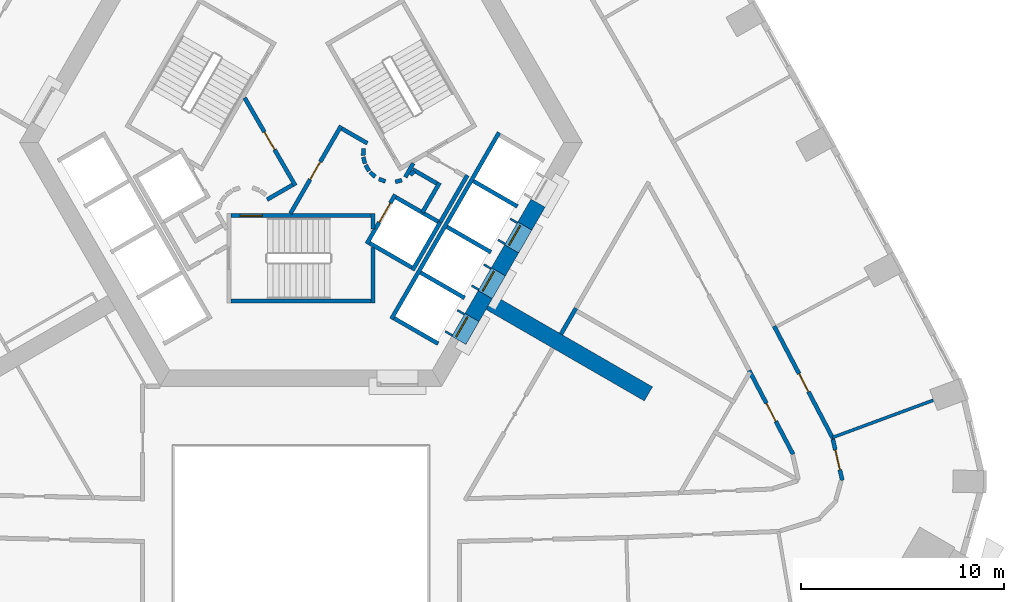
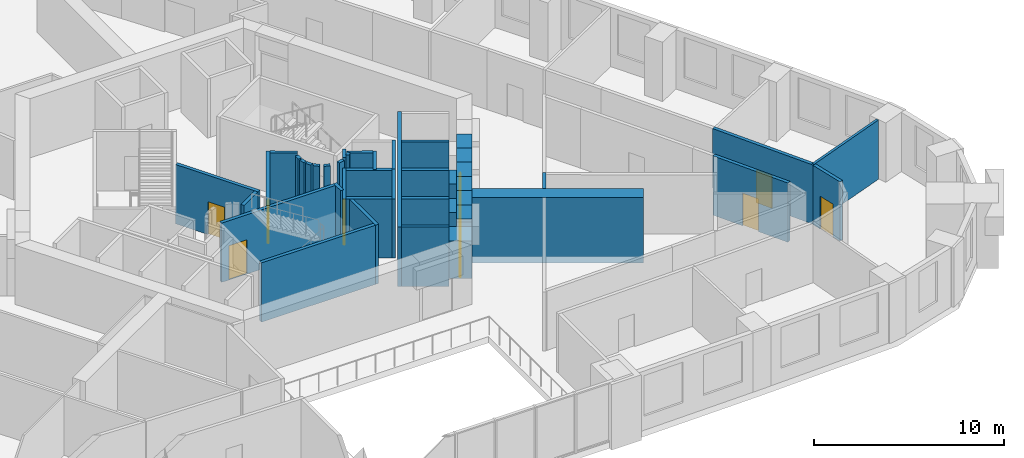
# One storey, part 7 of 14: 43 walls, 10 doors, 10 openings.
"""IFC4 building model written with IfcOpenShell, lengths in metres."""

from ifc_helpers import new_model, si_unit, direction, frame, frame_2d, origin, place, context, subcontext, project, spatial, polyline, rectangle, outline, extrude, material, layer, layer_set, type_object, element, fill, save


model = new_model("IFC4")

# Units and contexts
model_context = context("Model", 3, precision=1e-05, world=origin(), true_north=direction((0.0, 1.0)))
body_context = subcontext(model_context, "Body", "Model", "MODEL_VIEW")
ifc_project = project(units=[si_unit("LENGTHUNIT", "METRE"), si_unit("AREAUNIT", "SQUARE_METRE"), si_unit("VOLUMEUNIT", "CUBIC_METRE"), si_unit("PLANEANGLEUNIT", "RADIAN"), si_unit("MASSUNIT", "GRAM", prefix="KILO")], contexts=[model_context])

# Site, building, storey
site_placement = place(None, origin())
site = spatial("IfcSite", under=ifc_project, at=site_placement, CompositionType="ELEMENT")
building_placement = place(site_placement, origin())
building = spatial("IfcBuilding", under=site, at=building_placement, Name="Entoto Arch Interchange Tower", CompositionType="ELEMENT")
storey_placement = place(building_placement, frame((0.0, 0.0, 146.60009765625)))
storey = spatial("IfcBuildingStorey", under=building, at=storey_placement, Name="L32", CompositionType="ELEMENT", Elevation=146.60009765625)

# Walls
ifc_material_1 = material(Name="Concrete C50/60", Category="concrete")
ifc_layer_1 = layer(ifc_material_1, 0.800048828125)
ifc_layer_set_1 = layer_set([ifc_layer_1], Name="Concrete C50/60")
wall_type_1 = type_object("IfcWallType", Name="Buttress wall 800 C50/60", PredefinedType="SHEAR", material=ifc_layer_set_1)
wall_1_placement = place(storey_placement, frame((9.31005859375, -5.375, -0.400146484375), z_axis=(0.0, 0.0, 1.0), x_axis=(0.866017533419, -0.500013631625, 0.0)))
element("IfcWall", 1, at=wall_1_placement, inside=storey, type_object=wall_type_1, Name="Buttress wall SE L32", PredefinedType="SHEAR", context=body_context, shape_type="SweptSolid", body=[
    extrude(rectangle(XDim=8.999755859375, YDim=0.800048828125, at=frame_2d((4.5, 0.0))), origin(), (0.0, 0.0, 1.0), 4.199951171875),
])
ifc_layer_2 = layer(ifc_material_1, 0.800048828125)
ifc_layer_set_2 = layer_set([ifc_layer_2], Name="Concrete C50/60")
wall_type_2 = type_object("IfcWallType", Name="Core wall 800 C50/60", PredefinedType="SHEAR", material=ifc_layer_set_2)
wall_2_placement = place(storey_placement, frame((0.0, 0.0, -0.400146484375)))
element("IfcWall", 2, at=wall_2_placement, inside=storey, type_object=wall_type_2, Name="Core wall SE L32", PredefinedType="SHEAR", context=body_context, shape_type="SweptSolid", body=[
    extrude(outline(polyline([(9.4169921875, -5.18896484375), (8.72412109375, -4.7890625), (8.074951171875, -5.9140625), (8.76708984375, -6.31396484375), (9.4169921875, -5.18896484375)])), origin(), (0.0, 0.0, 1.0), 4.199951171875),
])
wall_3_placement = place(storey_placement, frame((0.0, 0.0, -0.400146484375)))
element("IfcWall", 3, at=wall_3_placement, inside=storey, type_object=wall_type_2, Name="Core wall SE L32", PredefinedType="SHEAR", context=body_context, shape_type="SweptSolid", body=[
    extrude(outline(polyline([(10.717041015625, -2.93701171875), (10.02490234375, -2.537109375), (9.3740234375, -3.6630859375), (10.06689453125, -4.06298828125), (10.717041015625, -2.93701171875)])), origin(), (0.0, 0.0, 1.0), 4.199951171875),
])
wall_4_placement = place(storey_placement, frame((0.0, 0.0, -0.400146484375)))
element("IfcWall", 4, at=wall_4_placement, inside=storey, type_object=wall_type_2, Name="Core wall SE L32", PredefinedType="SHEAR", context=body_context, shape_type="SweptSolid", body=[
    extrude(outline(polyline([(12.01708984375, -0.68603515625), (11.323974609375, -0.285888671875), (10.675048828125, -1.410888671875), (11.366943359375, -1.81103515625), (12.01708984375, -0.68603515625)])), origin(), (0.0, 0.0, 1.0), 4.199951171875),
])
wall_5_placement = place(storey_placement, frame((0.0, 0.0, 3.599853515625)))
element("IfcWall", 5, at=wall_5_placement, inside=storey, type_object=wall_type_2, Name="Core wall lintel SE L32", PredefinedType="SHEAR", context=body_context, shape_type="SweptSolid", body=[
    extrude(outline(polyline([(8.76708984375, -6.31396484375), (8.074951171875, -5.9140625), (7.424072265625, -7.0400390625), (8.116943359375, -7.43994140625), (8.76708984375, -6.31396484375)])), origin(), (0.0, 0.0, 1.0), 0.199951171875),
])
wall_6_placement = place(storey_placement, frame((0.0, 0.0, 3.599853515625)))
element("IfcWall", 6, at=wall_6_placement, inside=storey, type_object=wall_type_2, Name="Core wall lintel SE L32", PredefinedType="SHEAR", context=body_context, shape_type="SweptSolid", body=[
    extrude(outline(polyline([(10.06689453125, -4.06298828125), (9.3740234375, -3.6630859375), (8.72412109375, -4.7890625), (9.4169921875, -5.18896484375), (10.06689453125, -4.06298828125)])), origin(), (0.0, 0.0, 1.0), 0.199951171875),
])
wall_7_placement = place(storey_placement, frame((0.0, 0.0, 3.599853515625)))
element("IfcWall", 7, at=wall_7_placement, inside=storey, type_object=wall_type_2, Name="Core wall lintel SE L32", PredefinedType="SHEAR", context=body_context, shape_type="SweptSolid", body=[
    extrude(outline(polyline([(11.366943359375, -1.81103515625), (10.675048828125, -1.410888671875), (10.02490234375, -2.537109375), (10.717041015625, -2.93701171875), (11.366943359375, -1.81103515625)])), origin(), (0.0, 0.0, 1.0), 0.199951171875),
])

# Wall, opening, door
ifc_material_2 = material(Name="Concrete C40/50", Category="concrete")
ifc_layer_3 = layer(ifc_material_2, 1.199951171875)
ifc_layer_set_3 = layer_set([ifc_layer_3], Name="Concrete C40/50")
wall_type_3 = type_object("IfcWallType", Name="LIFT LANDING INFILL WALL", PredefinedType="STANDARD", material=ifc_layer_set_3)
wall_8_placement = place(storey_placement, frame((7.597900390625, -7.139892578125, 0.0), z_axis=(0.0, 0.0, 1.0), x_axis=(0.500362116554, 0.865816234728, 0.0)))
wall_8 = element("IfcWall", 8, at=wall_8_placement, inside=storey, type_object=wall_type_3, Name="Lift landing infill wall LR5 L32", PredefinedType="STANDARD", context=body_context, shape_type="SweptSolid", body=[
    extrude(rectangle(XDim=1.29931640625, YDim=1.199951171875, at=frame_2d((0.649658203125, 0.0))), origin(), (0.0, 0.0, 1.0), 2.39990234375),
])
opening_1_placement = place(wall_8_placement, frame((0.10009765625, 0.0, 0.0)))
opening_1 = element("IfcOpeningElement", 9, at=opening_1_placement, cuts=wall_8, Name="Opening LD-LR5-L32", PredefinedType="OPENING", context=body_context, shape_type="SweptSolid", body=[
    extrude(rectangle(XDim=1.10009765625, YDim=2.300048828125, at=frame_2d((0.550048828125, 1.14990234375))), frame((0.0, 0.60986328125, 0.0), z_axis=(0.0, -1.0, 0.0), x_axis=(1.0, 0.0, 0.0)), (0.0, 0.0, 1.0), 1.219970703125),
])
ifc_material_3 = material(Name="Stainless steel 1.4301 panels", Category="steel")
door_type_1 = type_object("IfcDoorType", Name="LIFT LANDING DOOR LD2 1100x2300", OperationType="SLIDING_TO_LEFT", PredefinedType="DOOR", material=ifc_material_3)
door_1_placement = place(opening_1_placement, origin())
door_1 = element("IfcDoor", 10, at=door_1_placement, inside=storey, type_object=door_type_1, Name="Lift landing door LR5 L32", OperationType="SLIDING_TO_LEFT", OverallHeight=2.300048828125, OverallWidth=1.10009765625, PredefinedType="DOOR", context=body_context, shape_type="SweptSolid", body=[
    extrude(rectangle(XDim=1.10009765625, YDim=2.300048828125, at=frame_2d((0.550048828125, 1.14990234375))), frame((0.0, 0.02490234375, 0.0), z_axis=(0.0, -1.0, 0.0), x_axis=(1.0, 0.0, 0.0)), (0.0, 0.0, 1.0), 0.050048828125),
])
fill(opening_1, door_1)

wall_9_placement = place(storey_placement, frame((8.89794921875, -4.888916015625, 0.0), z_axis=(0.0, 0.0, 1.0), x_axis=(0.500036693733, 0.866004217611, 0.0)))
wall_9 = element("IfcWall", 11, at=wall_9_placement, inside=storey, type_object=wall_type_3, Name="Lift landing infill wall LR6 L32", PredefinedType="STANDARD", context=body_context, shape_type="SweptSolid", body=[
    extrude(rectangle(XDim=1.30029296875, YDim=1.199951171875, at=frame_2d((0.650146484375, 0.0))), origin(), (0.0, 0.0, 1.0), 2.39990234375),
])
opening_2_placement = place(wall_9_placement, frame((0.10009765625, 0.0, 0.0)))
opening_2 = element("IfcOpeningElement", 12, at=opening_2_placement, cuts=wall_9, Name="Opening LD-LR6-L32", PredefinedType="OPENING", context=body_context, shape_type="SweptSolid", body=[
    extrude(rectangle(XDim=1.10009765625, YDim=2.300048828125, at=frame_2d((0.550048828125, 1.14990234375))), frame((0.0, 0.60986328125, 0.0), z_axis=(0.0, -1.0, 0.0), x_axis=(1.0, 0.0, 0.0)), (0.0, 0.0, 1.0), 1.219970703125),
])
door_2_placement = place(opening_2_placement, origin())
door_2 = element("IfcDoor", 13, at=door_2_placement, inside=storey, type_object=door_type_1, Name="Lift landing door LR6 L32", OperationType="SLIDING_TO_LEFT", OverallHeight=2.300048828125, OverallWidth=1.10009765625, PredefinedType="DOOR", context=body_context, shape_type="SweptSolid", body=[
    extrude(rectangle(XDim=1.10009765625, YDim=2.300048828125, at=frame_2d((0.550048828125, 1.14990234375))), frame((0.0, 0.02490234375, 0.0), z_axis=(0.0, -1.0, 0.0), x_axis=(1.0, 0.0, 0.0)), (0.0, 0.0, 1.0), 0.050048828125),
])
fill(opening_2, door_2)

wall_10_placement = place(storey_placement, frame((10.197998046875, -2.636962890625, 0.0), z_axis=(0.0, 0.0, 1.0), x_axis=(0.49989585183, 0.866085525409, 0.0)))
wall_10 = element("IfcWall", 14, at=wall_10_placement, inside=storey, type_object=wall_type_3, Name="Lift landing infill wall LR7 L32", PredefinedType="STANDARD", context=body_context, shape_type="SweptSolid", body=[
    extrude(rectangle(XDim=1.300048828125, YDim=1.199951171875, at=frame_2d((0.64990234375, 0.0))), origin(), (0.0, 0.0, 1.0), 2.39990234375),
])
opening_3_placement = place(wall_10_placement, frame((0.10009765625, 0.0, 0.0)))
opening_3 = element("IfcOpeningElement", 15, at=opening_3_placement, cuts=wall_10, Name="Opening LD-LR7-L32", PredefinedType="OPENING", context=body_context, shape_type="SweptSolid", body=[
    extrude(rectangle(XDim=1.10009765625, YDim=2.300048828125, at=frame_2d((0.550048828125, 1.14990234375))), frame((0.0, 0.60986328125, 0.0), z_axis=(0.0, -1.0, 0.0), x_axis=(1.0, 0.0, 0.0)), (0.0, 0.0, 1.0), 1.219970703125),
])
door_3_placement = place(opening_3_placement, origin())
door_3 = element("IfcDoor", 16, at=door_3_placement, inside=storey, type_object=door_type_1, Name="Lift landing door LR7 L32", OperationType="SLIDING_TO_LEFT", OverallHeight=2.300048828125, OverallWidth=1.10009765625, PredefinedType="DOOR", context=body_context, shape_type="SweptSolid", body=[
    extrude(rectangle(XDim=1.10009765625, YDim=2.300048828125, at=frame_2d((0.550048828125, 1.14990234375))), frame((0.0, 0.02490234375, 0.0), z_axis=(0.0, -1.0, 0.0), x_axis=(1.0, 0.0, 0.0)), (0.0, 0.0, 1.0), 0.050048828125),
])
fill(opening_3, door_3)

ifc_layer_4 = layer(ifc_material_2, 0.199951171875)
ifc_layer_set_4 = layer_set([ifc_layer_4], Name="Concrete C40/50")
wall_type_4 = type_object("IfcWallType", Name="LIFT SHAFT WALL 200", PredefinedType="STANDARD", material=ifc_layer_set_4)
wall_11_placement = place(storey_placement, frame((3.239990234375, -2.488037109375, 0.0), z_axis=(0.0, 0.0, 1.0), x_axis=(0.49994636267, 0.866056369097, 0.0)))
wall_11 = element("IfcWall", 17, at=wall_11_placement, inside=storey, type_object=wall_type_4, Name="Shaft wall SE1 front", PredefinedType="STANDARD", context=body_context, shape_type="SweptSolid", body=[
    extrude(rectangle(XDim=2.800048828125, YDim=0.199951171875, at=frame_2d((1.39990234375, 0.0))), origin(), (0.0, 0.0, 1.0), 3.7998046875),
])
opening_4_placement = place(wall_11_placement, frame((1.22509765625, 0.0, 0.0)))
opening_4 = element("IfcOpeningElement", 18, at=opening_4_placement, cuts=wall_11, Name="Opening LD-FF1-L32", PredefinedType="OPENING", context=body_context, shape_type="SweptSolid", body=[
    extrude(rectangle(XDim=1.10009765625, YDim=2.10009765625, at=frame_2d((0.550048828125, 1.050048828125))), frame((0.0, 0.10986328125, 0.0), z_axis=(0.0, -1.0, 0.0), x_axis=(1.0, 0.0, 0.0)), (0.0, 0.0, 1.0), 0.219970703125),
])
door_type_2 = type_object("IfcDoorType", Name="LIFT LANDING DOOR LD1 1100x2100", OperationType="SLIDING_TO_LEFT", PredefinedType="DOOR", material=ifc_material_3)
door_4_placement = place(opening_4_placement, origin())
door_4 = element("IfcDoor", 19, at=door_4_placement, inside=storey, type_object=door_type_2, Name="Lift landing door FF1 L32", OperationType="SLIDING_TO_LEFT", OverallHeight=2.10009765625, OverallWidth=1.10009765625, PredefinedType="DOOR", context=body_context, shape_type="SweptSolid", body=[
    extrude(rectangle(XDim=1.10009765625, YDim=2.10009765625, at=frame_2d((0.550048828125, 1.050048828125))), frame((0.0, 0.02490234375, 0.0), z_axis=(0.0, -1.0, 0.0), x_axis=(1.0, 0.0, 0.0)), (0.0, 0.0, 1.0), 0.050048828125),
])
fill(opening_4, door_4)

# Walls
wall_12_placement = place(storey_placement, frame((5.491943359375, -3.7880859375, 0.0), z_axis=(0.0, 0.0, 1.0), x_axis=(0.500011755427, 0.866018616679, 0.0)))
element("IfcWall", 20, at=wall_12_placement, inside=storey, type_object=wall_type_4, Name="Shaft wall SE1 back", PredefinedType="STANDARD", context=body_context, shape_type="SweptSolid", body=[
    extrude(rectangle(XDim=2.80029296875, YDim=0.199951171875, at=frame_2d((1.400146484375, 0.0))), origin(), (0.0, 0.0, 1.0), 3.7998046875),
])
wall_13_placement = place(storey_placement, frame((3.376953125, -2.451904296875, 0.0), z_axis=(0.0, 0.0, 1.0), x_axis=(0.865955154139, -0.50012165622, 0.0)))
element("IfcWall", 21, at=wall_13_placement, inside=storey, type_object=wall_type_4, Name="Shaft wall SE1 cross 1", PredefinedType="STANDARD", context=body_context, shape_type="SweptSolid", body=[
    extrude(rectangle(XDim=2.39990234375, YDim=0.199951171875, at=frame_2d((1.199951171875, 0.0))), origin(), (0.0, 0.0, 1.0), 3.7998046875),
])
wall_14_placement = place(storey_placement, frame((4.677001953125, -0.199951171875, 0.0), z_axis=(0.0, 0.0, 1.0), x_axis=(0.865973769406, -0.500089422704, 0.0)))
element("IfcWall", 22, at=wall_14_placement, inside=storey, type_object=wall_type_4, Name="Shaft wall SE1 cross 2", PredefinedType="STANDARD", context=body_context, shape_type="SweptSolid", body=[
    extrude(rectangle(XDim=2.3994140625, YDim=0.199951171875, at=frame_2d((1.19970703125, 0.0))), origin(), (0.0, 0.0, 1.0), 3.7998046875),
])
wall_15_placement = place(storey_placement, frame((4.450927734375, -6.18994140625, 0.0), z_axis=(0.0, 0.0, 1.0), x_axis=(0.50000090737, 0.866024879913, 0.0)))
element("IfcWall", 23, at=wall_15_placement, inside=storey, type_object=wall_type_4, Name="Shaft wall SE3 front", PredefinedType="STANDARD", context=body_context, shape_type="SweptSolid", body=[
    extrude(rectangle(XDim=10.60009765625, YDim=0.199951171875, at=frame_2d((5.300048828125, 0.0))), origin(), (0.0, 0.0, 1.0), 3.7998046875),
])
for number, where, z_axis, x_axis, name in (
    (24, (4.587890625, -6.153076171875, 0.0), (0.0, 0.0, 1.0), (0.866022959057, -0.500004234368, 0.0), "Shaft wall SE3 cross 1"),
    (25, (5.887939453125, -3.902099609375, 0.0), (0.0, 0.0, 1.0), (0.866022959057, -0.500004234368, 0.0), "Shaft wall SE3 cross 2"),
    (26, (7.18798828125, -1.64990234375, 0.0), (0.0, 0.0, 1.0), (0.866022959057, -0.500004234368, 0.0), "Shaft wall SE3 cross 3"),
    (27, (8.488037109375, 0.60205078125, 0.0), (0.0, 0.0, 1.0), (0.866022959057, -0.500004234368, 0.0), "Shaft wall SE3 cross 4"),
):
    element("IfcWall", number, at=place(storey_placement, frame(where, z_axis=z_axis, x_axis=x_axis)), inside=storey, type_object=wall_type_4, Name=name, PredefinedType="STANDARD", context=body_context, shape_type="SweptSolid", body=[
        extrude(rectangle(XDim=2.5, YDim=0.199951171875, at=frame_2d((1.25, 0.0))), origin(), (0.0, 0.0, 1.0), 3.7998046875),
    ])
ifc_material_4 = material(Name="Gypsum board partition on steel studs", Category="steel")
ifc_layer_5 = layer(ifc_material_4, 0.14990234375)
ifc_layer_set_5 = layer_set([ifc_layer_5], Name="Gypsum board partition on steel studs")
wall_type_5 = type_object("IfcWallType", Name="PARTITION 150", PredefinedType="PARTITIONING", material=ifc_layer_set_5)
wall_16_placement = place(storey_placement, frame((26.1640625, -12.02294921875, 0.0), z_axis=(0.0, 0.0, 1.0), x_axis=(0.937995804261, 0.346646608505, 0.0)))
element("IfcWall", 28, at=wall_16_placement, inside=storey, type_object=wall_type_5, Name="wall:L32:p125", PredefinedType="PARTITIONING", context=body_context, shape_type="SweptSolid", body=[
    extrude(rectangle(XDim=5.287841796875, YDim=0.14990234375, at=frame_2d((2.64404296875, 0.0))), origin(), (0.0, 0.0, 1.0), 3.7998046875),
])

# Wall, opening, door
ifc_layer_6 = layer(ifc_material_4, 0.199951171875)
ifc_layer_set_6 = layer_set([ifc_layer_6], Name="Gypsum board partition on steel studs")
wall_type_6 = type_object("IfcWallType", Name="PARTITION 200", PredefinedType="PARTITIONING", material=ifc_layer_set_6)
wall_17_placement = place(storey_placement, frame((24.22412109375, -12.844970703125, 0.0), z_axis=(0.0, 0.0, 1.0), x_axis=(-0.463819025987, 0.885929969655, 0.0)))
wall_17 = element("IfcWall", 29, at=wall_17_placement, inside=storey, type_object=wall_type_6, Name="wall:L32:p021", PredefinedType="PARTITIONING", context=body_context, shape_type="SweptSolid", body=[
    extrude(rectangle(XDim=4.659423828125, YDim=0.199951171875, at=frame_2d((2.32958984375, 0.0))), origin(), (0.0, 0.0, 1.0), 3.7998046875),
])
opening_5_placement = place(wall_17_placement, frame((1.830078125, 0.0, 0.0)))
opening_5 = element("IfcOpeningElement", 30, at=opening_5_placement, cuts=wall_17, Name="Opening L32-D22", PredefinedType="OPENING", context=body_context, shape_type="SweptSolid", body=[
    extrude(rectangle(XDim=1.0, YDim=2.10009765625, at=frame_2d((0.5, 1.050048828125))), frame((0.0, 0.10986328125, 0.0), z_axis=(0.0, -1.0, 0.0), x_axis=(1.0, 0.0, 0.0)), (0.0, 0.0, 1.0), 0.219970703125),
])
ifc_material_5 = material(Name="Timber door leaf in Steel S235 frame", Category="steel")
door_type_3 = type_object("IfcDoorType", Name="DOOR DS-10 1000x2100", OperationType="SINGLE_SWING_LEFT", PredefinedType="DOOR", material=ifc_material_5)
door_5_placement = place(opening_5_placement, origin())
door_5 = element("IfcDoor", 31, at=door_5_placement, inside=storey, type_object=door_type_3, Name="door:L32:22", OperationType="SINGLE_SWING_LEFT", OverallHeight=2.10009765625, OverallWidth=1.0, PredefinedType="DOOR", context=body_context, shape_type="SweptSolid", body=[
    extrude(rectangle(XDim=1.0, YDim=2.10009765625, at=frame_2d((0.5, 1.050048828125))), frame((0.0, 0.02490234375, 0.0), z_axis=(0.0, -1.0, 0.0), x_axis=(1.0, 0.0, 0.0)), (0.0, 0.0, 1.0), 0.050048828125),
])
fill(opening_5, door_5)

wall_18_placement = place(storey_placement, frame((26.18603515625, -12.1201171875, 0.0), z_axis=(0.0, 0.0, 1.0), x_axis=(0.224108401048, -0.974564222912, 0.0)))
wall_18 = element("IfcWall", 32, at=wall_18_placement, inside=storey, type_object=wall_type_6, Name="wall:L32:p034", PredefinedType="PARTITIONING", context=body_context, shape_type="SweptSolid", body=[
    extrude(rectangle(XDim=2.0654296875, YDim=0.199951171875, at=frame_2d((1.03271484375, 0.0))), origin(), (0.0, 0.0, 1.0), 3.7998046875),
])
opening_6_placement = place(wall_18_placement, frame((0.532958984375, 0.0, 0.0)))
opening_6 = element("IfcOpeningElement", 33, at=opening_6_placement, cuts=wall_18, Name="Opening L32-D03", PredefinedType="OPENING", context=body_context, shape_type="SweptSolid", body=[
    extrude(rectangle(XDim=1.0, YDim=2.10009765625, at=frame_2d((0.5, 1.050048828125))), frame((0.0, 0.10986328125, 0.0), z_axis=(0.0, -1.0, 0.0), x_axis=(1.0, 0.0, 0.0)), (0.0, 0.0, 1.0), 0.219970703125),
])
door_6_placement = place(opening_6_placement, origin())
door_6 = element("IfcDoor", 34, at=door_6_placement, inside=storey, type_object=door_type_3, Name="door:L32:03", OperationType="SINGLE_SWING_LEFT", OverallHeight=2.10009765625, OverallWidth=1.0, PredefinedType="DOOR", context=body_context, shape_type="SweptSolid", body=[
    extrude(rectangle(XDim=1.0, YDim=2.10009765625, at=frame_2d((0.5, 1.050048828125))), frame((0.0, 0.02490234375, 0.0), z_axis=(0.0, -1.0, 0.0), x_axis=(1.0, 0.0, 0.0)), (0.0, 0.0, 1.0), 0.050048828125),
])
fill(opening_6, door_6)

wall_19_placement = place(storey_placement, frame((23.2939453125, -6.541015625, 0.0), z_axis=(0.0, 0.0, 1.0), x_axis=(0.463802391881, -0.885938678062, 0.0)))
wall_19 = element("IfcWall", 35, at=wall_19_placement, inside=storey, type_object=wall_type_6, Name="wall:L32:p038", PredefinedType="PARTITIONING", context=body_context, shape_type="SweptSolid", body=[
    extrude(rectangle(XDim=6.287109375, YDim=0.199951171875, at=frame_2d((3.1435546875, 0.0))), origin(), (0.0, 0.0, 1.0), 3.7998046875),
])
opening_7_placement = place(wall_19_placement, frame((2.64404296875, 0.0, 0.0)))
opening_7 = element("IfcOpeningElement", 36, at=opening_7_placement, cuts=wall_19, Name="Opening L32-D04", PredefinedType="OPENING", context=body_context, shape_type="SweptSolid", body=[
    extrude(rectangle(XDim=1.0, YDim=2.10009765625, at=frame_2d((0.5, 1.050048828125))), frame((0.0, 0.10986328125, 0.0), z_axis=(0.0, -1.0, 0.0), x_axis=(1.0, 0.0, 0.0)), (0.0, 0.0, 1.0), 0.219970703125),
])
door_7_placement = place(opening_7_placement, origin())
door_7 = element("IfcDoor", 37, at=door_7_placement, inside=storey, type_object=door_type_3, Name="door:L32:04", OperationType="SINGLE_SWING_LEFT", OverallHeight=2.10009765625, OverallWidth=1.0, PredefinedType="DOOR", context=body_context, shape_type="SweptSolid", body=[
    extrude(rectangle(XDim=1.0, YDim=2.10009765625, at=frame_2d((0.5, 1.050048828125))), frame((0.0, 0.02490234375, 0.0), z_axis=(0.0, -1.0, 0.0), x_axis=(1.0, 0.0, 0.0)), (0.0, 0.0, 1.0), 0.050048828125),
])
fill(opening_7, door_7)

# Walls
wall_20_placement = place(storey_placement, frame((5.389892578125, 0.89794921875, 0.0), z_axis=(0.0, 0.0, 1.0), x_axis=(0.673828488714, 0.738887791073, 0.0)))
element("IfcWall", 38, at=wall_20_placement, inside=storey, type_object=wall_type_6, Name="wall:L32:p074", PredefinedType="PARTITIONING", context=body_context, shape_type="SweptSolid", body=[
    extrude(rectangle(XDim=0.2626953125, YDim=0.199951171875, at=frame_2d((0.13134765625, 0.0))), origin(), (0.0, 0.0, 1.0), 3.7998046875),
])
wall_21_placement = place(storey_placement, frame((5.4990234375, 1.172119140625, 0.0), z_axis=(0.0, 0.0, 1.0), x_axis=(0.866333505267, -0.499465972466, 0.0)))
element("IfcWall", 39, at=wall_21_placement, inside=storey, type_object=wall_type_6, Name="wall:L32:p075", PredefinedType="PARTITIONING", context=body_context, shape_type="SweptSolid", body=[
    extrude(rectangle(XDim=1.37353515625, YDim=0.199951171875, at=frame_2d((0.686767578125, 0.0))), origin(), (0.0, 0.0, 1.0), 3.7998046875),
])
wall_22_placement = place(storey_placement, frame((6.825927734375, 0.52197265625, 0.0), z_axis=(0.0, 0.0, 1.0), x_axis=(-0.500016722714, -0.866015748706, 0.0)))
element("IfcWall", 40, at=wall_22_placement, inside=storey, type_object=wall_type_6, Name="wall:L32:p076", PredefinedType="PARTITIONING", context=body_context, shape_type="SweptSolid", body=[
    extrude(rectangle(XDim=1.69970703125, YDim=0.199951171875, at=frame_2d((0.849853515625, 0.0))), origin(), (0.0, 0.0, 1.0), 3.7998046875),
])
wall_23_placement = place(storey_placement, frame((8.19189453125, 0.887939453125, 0.0), z_axis=(0.0, 0.0, 1.0), x_axis=(-0.499940625693, -0.866059680843, 0.0)))
element("IfcWall", 41, at=wall_23_placement, inside=storey, type_object=wall_type_6, Name="wall:L32:p078", PredefinedType="PARTITIONING", context=body_context, shape_type="SweptSolid", body=[
    extrude(rectangle(XDim=2.679931640625, YDim=0.199951171875, at=frame_2d((1.33984375, 0.0))), origin(), (0.0, 0.0, 1.0), 3.7998046875),
])
wall_24_placement = place(storey_placement, frame((5.135009765625, 0.79296875, 0.0), z_axis=(0.0, 0.0, 1.0), x_axis=(0.499526442893, 0.866298639529, 0.0)))
element("IfcWall", 42, at=wall_24_placement, inside=storey, type_object=wall_type_6, Name="wall:L32:p079", PredefinedType="PARTITIONING", context=body_context, shape_type="SweptSolid", body=[
    extrude(rectangle(XDim=0.790771484375, YDim=0.199951171875, at=frame_2d((0.3955078125, 0.0))), origin(), (0.0, 0.0, 1.0), 3.7998046875),
])

# Wall, opening, door
wall_25_placement = place(storey_placement, frame((-0.52001953125, -1.0, 0.0), z_axis=(0.0, 0.0, 1.0), x_axis=(0.50011622646, 0.865958290007, 0.0)))
wall_25 = element("IfcWall", 43, at=wall_25_placement, inside=storey, type_object=wall_type_6, Name="wall:L32:p087", PredefinedType="PARTITIONING", context=body_context, shape_type="SweptSolid", body=[
    extrude(rectangle(XDim=4.990966796875, YDim=0.199951171875, at=frame_2d((2.49560546875, 0.0))), origin(), (0.0, 0.0, 1.0), 3.7998046875),
])
opening_8_placement = place(wall_25_placement, frame((1.945068359375, 0.0, 0.0)))
opening_8 = element("IfcOpeningElement", 44, at=opening_8_placement, cuts=wall_25, Name="Opening L32-D31", PredefinedType="OPENING", context=body_context, shape_type="SweptSolid", body=[
    extrude(rectangle(XDim=1.0, YDim=2.10009765625, at=frame_2d((0.5, 1.050048828125))), frame((0.0, 0.10986328125, 0.0), z_axis=(0.0, -1.0, 0.0), x_axis=(1.0, 0.0, 0.0)), (0.0, 0.0, 1.0), 0.219970703125),
])
ifc_material_6 = material(Name="Fire-rated Steel S235 door and frame", Category="steel")
door_type_4 = type_object("IfcDoorType", Name="DOOR FD-10 1000x2100", OperationType="SINGLE_SWING_LEFT", PredefinedType="DOOR", material=ifc_material_6)
door_8_placement = place(opening_8_placement, origin())
door_8 = element("IfcDoor", 45, at=door_8_placement, inside=storey, type_object=door_type_4, Name="door:L32:31", OperationType="SINGLE_SWING_LEFT", OverallHeight=2.10009765625, OverallWidth=1.0, PredefinedType="DOOR", context=body_context, shape_type="SweptSolid", body=[
    extrude(rectangle(XDim=1.0, YDim=2.10009765625, at=frame_2d((0.5, 1.050048828125))), frame((0.0, 0.02490234375, 0.0), z_axis=(0.0, -1.0, 0.0), x_axis=(1.0, 0.0, 0.0)), (0.0, 0.0, 1.0), 0.050048828125),
])
fill(opening_8, door_8)

# Walls
wall_26_placement = place(storey_placement, frame((2.011962890625, 3.18603515625, 0.0), z_axis=(0.0, 0.0, 1.0), x_axis=(0.865891012941, -0.500232699559, 0.0)))
element("IfcWall", 46, at=wall_26_placement, inside=storey, type_object=wall_type_6, Name="wall:L32:p088", PredefinedType="PARTITIONING", context=body_context, shape_type="SweptSolid", body=[
    extrude(rectangle(XDim=1.449462890625, YDim=0.199951171875, at=frame_2d((0.724609375, 0.0))), origin(), (0.0, 0.0, 1.0), 3.7998046875),
])
wall_27_placement = place(storey_placement, frame((3.0791015625, 2.198974609375, 0.0), z_axis=(0.0, 0.0, 1.0), x_axis=(-0.047771483479, -0.998858290933, 0.0)))
element("IfcWall", 47, at=wall_27_placement, inside=storey, type_object=wall_type_6, Name="wall:L32:p089", PredefinedType="PARTITIONING", context=body_context, shape_type="SweptSolid", body=[
    extrude(rectangle(XDim=0.33740234375, YDim=0.199951171875, at=frame_2d((0.168701171875, 0.0))), origin(), (0.0, 0.0, 1.0), 3.7998046875),
])
wall_28_placement = place(storey_placement, frame((3.070068359375, 1.785888671875, 0.0), z_axis=(0.0, 0.0, 1.0), x_axis=(0.242705583207, -0.970099994784, 0.0)))
element("IfcWall", 48, at=wall_28_placement, inside=storey, type_object=wall_type_6, Name="wall:L32:p090", PredefinedType="PARTITIONING", context=body_context, shape_type="SweptSolid", body=[
    extrude(rectangle(XDim=0.337890625, YDim=0.199951171875, at=frame_2d((0.1689453125, 0.0))), origin(), (0.0, 0.0, 1.0), 3.7998046875),
])
for number, where, z_axis, x_axis, name in (
    (49, (3.181884765625, 1.387939453125, 0.0), (0.0, 0.0, 1.0), (0.512474702713, -0.85870232274, 0.0), "wall:L32:p091"),
    (50, (3.404052734375, 1.0390625, 0.0), (0.0, 0.0, 1.0), (0.740267097712, -0.672312891476, 0.0), "wall:L32:p092"),
):
    element("IfcWall", number, at=place(storey_placement, frame(where, z_axis=z_axis, x_axis=x_axis)), inside=storey, type_object=wall_type_6, Name=name, PredefinedType="PARTITIONING", context=body_context, shape_type="SweptSolid", body=[
        extrude(rectangle(XDim=0.337646484375, YDim=0.199951171875, at=frame_2d((0.1689453125, 0.0))), origin(), (0.0, 0.0, 1.0), 3.7998046875),
    ])
wall_29_placement = place(storey_placement, frame((3.837890625, 0.701904296875, 0.0), z_axis=(0.0, 0.0, 1.0), x_axis=(0.941035081519, -0.338308993895, 0.0)))
element("IfcWall", 51, at=wall_29_placement, inside=storey, type_object=wall_type_6, Name="wall:L32:p093", PredefinedType="PARTITIONING", context=body_context, shape_type="SweptSolid", body=[
    extrude(rectangle(XDim=0.3369140625, YDim=0.199951171875, at=frame_2d((0.16845703125, 0.0))), origin(), (0.0, 0.0, 1.0), 3.7998046875),
])
wall_30_placement = place(storey_placement, frame((4.64404296875, 0.56396484375, 0.0), z_axis=(0.0, 0.0, 1.0), x_axis=(0.969929076366, 0.243387729394, 0.0)))
element("IfcWall", 52, at=wall_30_placement, inside=storey, type_object=wall_type_6, Name="wall:L32:p094", PredefinedType="PARTITIONING", context=body_context, shape_type="SweptSolid", body=[
    extrude(rectangle(XDim=0.337158203125, YDim=0.199951171875, at=frame_2d((0.16845703125, 0.0))), origin(), (0.0, 0.0, 1.0), 3.7998046875),
])

# Wall, opening, door
wall_31_placement = place(storey_placement, frame((-2.77099609375, 4.699951171875, 0.0), z_axis=(0.0, 0.0, 1.0), x_axis=(0.499969479948, -0.866043023828, 0.0)))
wall_31 = element("IfcWall", 53, at=wall_31_placement, inside=storey, type_object=wall_type_6, Name="wall:L32:p095", PredefinedType="PARTITIONING", context=body_context, shape_type="SweptSolid", body=[
    extrude(rectangle(XDim=4.990478515625, YDim=0.199951171875, at=frame_2d((2.4951171875, 0.0))), origin(), (0.0, 0.0, 1.0), 3.7998046875),
])
opening_9_placement = place(wall_31_placement, frame((1.945068359375, 0.0, 0.0)))
opening_9 = element("IfcOpeningElement", 54, at=opening_9_placement, cuts=wall_31, Name="Opening L32-D32", PredefinedType="OPENING", context=body_context, shape_type="SweptSolid", body=[
    extrude(rectangle(XDim=1.0, YDim=2.10009765625, at=frame_2d((0.5, 1.050048828125))), frame((0.0, 0.10986328125, 0.0), z_axis=(0.0, -1.0, 0.0), x_axis=(1.0, 0.0, 0.0)), (0.0, 0.0, 1.0), 0.219970703125),
])
door_9_placement = place(opening_9_placement, origin())
door_9 = element("IfcDoor", 55, at=door_9_placement, inside=storey, type_object=door_type_4, Name="door:L32:32", OperationType="SINGLE_SWING_RIGHT", OverallHeight=2.10009765625, OverallWidth=1.0, PredefinedType="DOOR", context=body_context, shape_type="SweptSolid", body=[
    extrude(rectangle(XDim=1.0, YDim=2.10009765625, at=frame_2d((0.5, 1.050048828125))), frame((0.0, 0.02490234375, 0.0), z_axis=(0.0, -1.0, 0.0), x_axis=(1.0, 0.0, 0.0)), (0.0, 0.0, 1.0), 0.050048828125),
])
fill(opening_9, door_9)

# Walls
wall_32_placement = place(storey_placement, frame((-0.412109375, 0.4140625, 0.0), z_axis=(0.0, 0.0, 1.0), x_axis=(-0.866017369001, -0.500013916395, 0.0)))
element("IfcWall", 56, at=wall_32_placement, inside=storey, type_object=wall_type_6, Name="wall:L32:p096", PredefinedType="PARTITIONING", context=body_context, shape_type="SweptSolid", body=[
    extrude(rectangle(XDim=1.4501953125, YDim=0.199951171875, at=frame_2d((0.72509765625, 0.0))), origin(), (0.0, 0.0, 1.0), 3.7998046875),
])
wall_33_placement = place(storey_placement, frame((13.534912109375, -5.656982421875, 0.0), z_axis=(0.0, 0.0, 1.0), x_axis=(-0.499751238113, -0.866168978898, 0.0)))
element("IfcWall", 57, at=wall_33_placement, inside=storey, type_object=wall_type_6, Name="wall:L32:p107", PredefinedType="PARTITIONING", context=body_context, shape_type="SweptSolid", body=[
    extrude(rectangle(XDim=1.468505859375, YDim=0.199951171875, at=frame_2d((0.734375, 0.0))), origin(), (0.0, 0.0, 1.0), 3.7998046875),
])
ifc_layer_7 = layer(ifc_material_2, 0.199951171875)
ifc_layer_set_7 = layer_set([ifc_layer_7], Name="Concrete C40/50")
wall_type_7 = type_object("IfcWallType", Name="STAIR ENCLOSURE WALL 200", PredefinedType="STANDARD", material=ifc_layer_set_7)
wall_34_placement = place(storey_placement, frame((3.550048828125, -2.6669921875, 0.0), z_axis=(0.0, 0.0, 1.0), x_axis=(0.0, -1.0, 0.0)))
element("IfcWall", 58, at=wall_34_placement, inside=storey, type_object=wall_type_7, Name="Stair wall ST-S far", PredefinedType="STANDARD", context=body_context, shape_type="SweptSolid", body=[
    extrude(rectangle(XDim=2.73291015625, YDim=0.199951171875, at=frame_2d((1.366455078125, 0.0))), origin(), (0.0, 0.0, 1.0), 3.7998046875),
])
wall_35_placement = place(storey_placement, frame((3.550048828125, -1.0, 0.0), z_axis=(0.0, 0.0, 1.0), x_axis=(0.0, -1.0, 0.0)))
element("IfcWall", 59, at=wall_35_placement, inside=storey, type_object=wall_type_7, Name="Stair wall ST-S far return", PredefinedType="STANDARD", context=body_context, shape_type="SweptSolid", body=[
    extrude(rectangle(XDim=0.7509765625, YDim=0.199951171875, at=frame_2d((0.37548828125, 0.0))), origin(), (0.0, 0.0, 1.0), 3.7998046875),
])

# Wall, opening, door
wall_36_placement = place(storey_placement, frame((-3.449951171875, -1.10009765625, 0.0), z_axis=(0.0, 0.0, 1.0), x_axis=(1.0, 0.0, 0.0)))
wall_36 = element("IfcWall", 60, at=wall_36_placement, inside=storey, type_object=wall_type_7, Name="Stair wall ST-S hall", PredefinedType="STANDARD", context=body_context, shape_type="SweptSolid", body=[
    extrude(rectangle(XDim=6.89990234375, YDim=0.199951171875, at=frame_2d((3.449951171875, 0.0))), origin(), (0.0, 0.0, 1.0), 3.7998046875),
])
opening_10_placement = place(wall_36_placement, frame((0.449951171875, 0.0, 0.0)))
opening_10 = element("IfcOpeningElement", 61, at=opening_10_placement, cuts=wall_36, Name="Opening SD-ST-S-L32", PredefinedType="OPENING", context=body_context, shape_type="SweptSolid", body=[
    extrude(rectangle(XDim=1.10009765625, YDim=2.199951171875, at=frame_2d((0.550048828125, 1.10009765625))), frame((0.0, 0.10986328125, 0.0), z_axis=(0.0, -1.0, 0.0), x_axis=(1.0, 0.0, 0.0)), (0.0, 0.0, 1.0), 0.219970703125),
])
ifc_material_7 = material(Name="Steel S235", Category="steel")
door_type_5 = type_object("IfcDoorType", Name="STAIR DOOR SD1 1100x2200", OperationType="SINGLE_SWING_LEFT", PredefinedType="DOOR", material=ifc_material_7)
door_10_placement = place(opening_10_placement, origin())
door_10 = element("IfcDoor", 62, at=door_10_placement, inside=storey, type_object=door_type_5, Name="Stair door ST-S L32", OperationType="SINGLE_SWING_LEFT", OverallHeight=2.199951171875, OverallWidth=1.10009765625, PredefinedType="DOOR", context=body_context, shape_type="SweptSolid", body=[
    extrude(rectangle(XDim=1.10009765625, YDim=2.199951171875, at=frame_2d((0.550048828125, 1.10009765625))), frame((0.0, 0.02490234375, 0.0), z_axis=(0.0, -1.0, 0.0), x_axis=(1.0, 0.0, 0.0)), (0.0, 0.0, 1.0), 0.050048828125),
])
fill(opening_10, door_10)

# Wall
wall_37_placement = place(storey_placement, frame((-3.449951171875, -5.300048828125, 0.0), z_axis=(0.0, 0.0, 1.0), x_axis=(1.0, 0.0, 0.0)))
element("IfcWall", 63, at=wall_37_placement, inside=storey, type_object=wall_type_7, Name="Stair wall ST-S back", PredefinedType="STANDARD", context=body_context, shape_type="SweptSolid", body=[
    extrude(rectangle(XDim=6.89990234375, YDim=0.199951171875, at=frame_2d((3.449951171875, 0.0))), origin(), (0.0, 0.0, 1.0), 3.7998046875),
])

save(model, "model.ifc")
